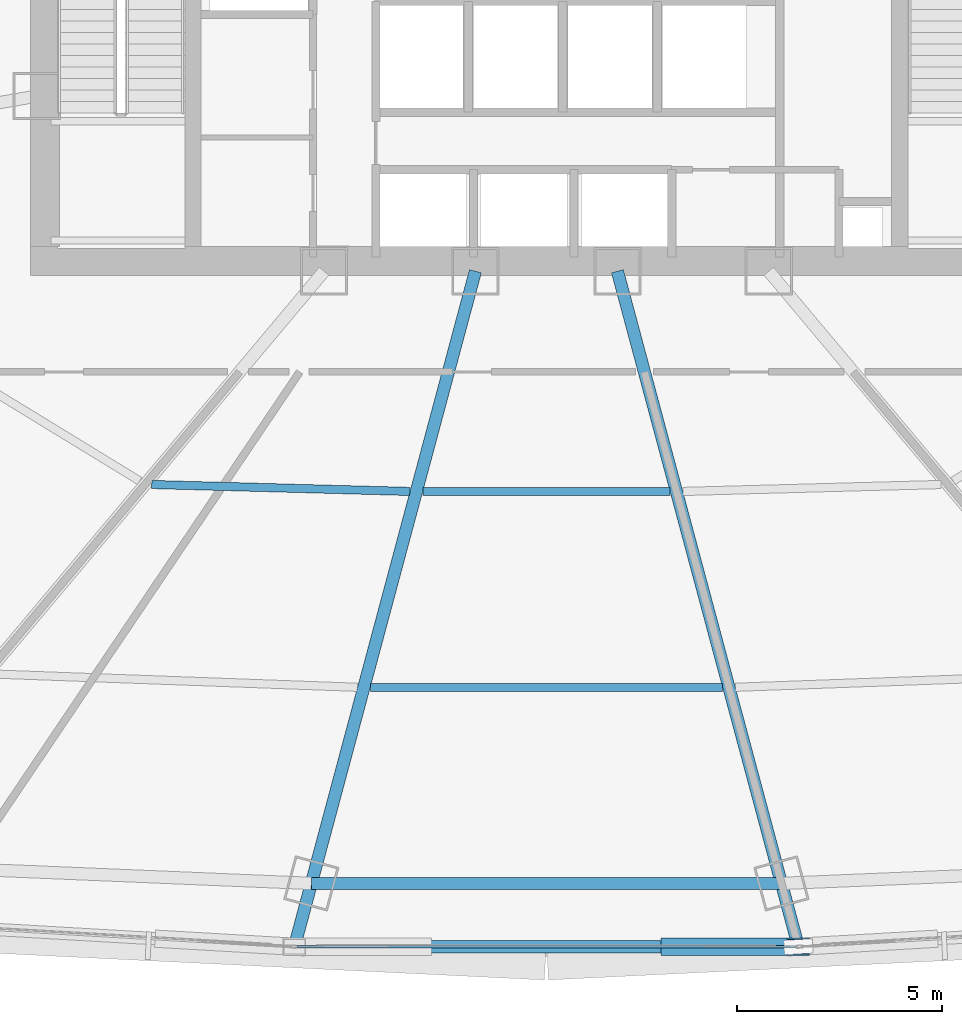
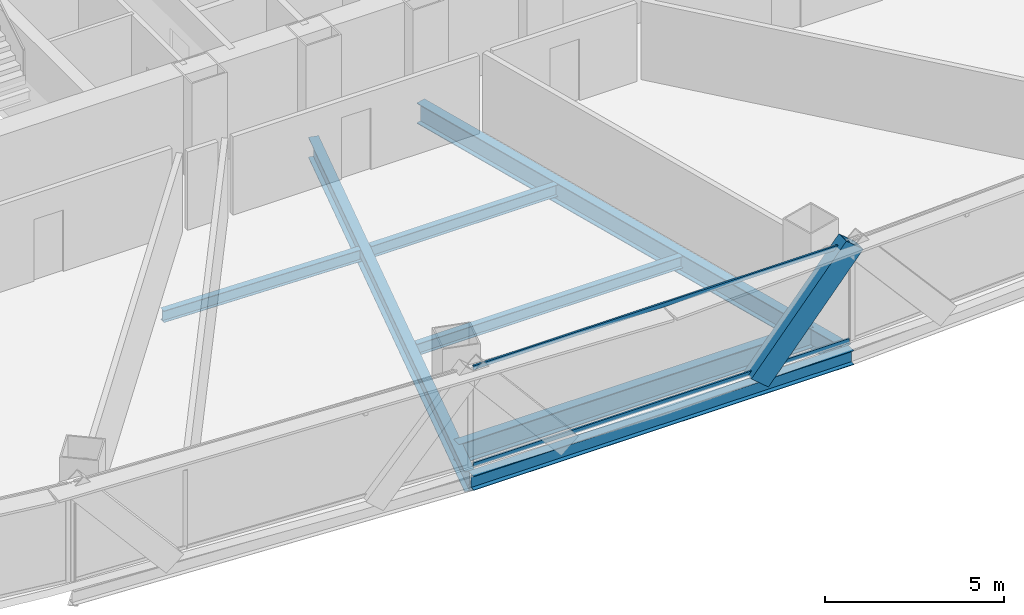
# One storey, part 9 of 42: 7 beams, 3 members, 1 element without a shape of its own.
"""IFC4 building model written with IfcOpenShell, lengths in metres."""

from ifc_helpers import new_model, si_unit, direction, frame, origin, origin_2d, place, context, subcontext, project, spatial, hollow_rectangle, i_section, extrude, source, transform, mapped, material, layer, layer_set, material_profile, profile_set, type_object, element, aggregate, save


model = new_model("IFC4")

# Units and contexts
model_context = context("Model", 3, precision=1e-05, world=origin(), true_north=direction((0.0, 1.0)))
body_context = subcontext(model_context, "Body", "Model", "MODEL_VIEW")
ifc_project = project(units=[si_unit("LENGTHUNIT", "METRE"), si_unit("AREAUNIT", "SQUARE_METRE"), si_unit("VOLUMEUNIT", "CUBIC_METRE"), si_unit("PLANEANGLEUNIT", "RADIAN"), si_unit("MASSUNIT", "GRAM", prefix="KILO"), si_unit("THERMODYNAMICTEMPERATUREUNIT", "KELVIN"), si_unit("POWERUNIT", "WATT")], contexts=[model_context])

# Site, building, storey
site_placement = place(None, origin())
site = spatial("IfcSite", under=ifc_project, at=site_placement, CompositionType="ELEMENT")
building_placement = place(site_placement, origin())
building = spatial("IfcBuilding", under=site, at=building_placement, Name="Yunzhuo Pagoda Commons", CompositionType="ELEMENT")
storey_placement = place(building_placement, frame((0.0, 0.0, 44.919921875)))
storey = spatial("IfcBuildingStorey", under=building, at=storey_placement, Name="L11", CompositionType="ELEMENT", Elevation=44.919921875)

# Beams
ifc_material_1 = material(Name="Structural steel Q355B", Category="steel")
ifc_material_profile_1 = material_profile(ifc_material_1, i_section(OverallWidth=0.300048828125, OverallDepth=0.699951171875, WebThickness=0.012939453125, FlangeThickness=0.02392578125, at=origin_2d()), Name="Structural steel Q355B")
ifc_profile_set_1 = profile_set([ifc_material_profile_1], Name="Structural steel Q355B")
beam_type_1 = type_object("IfcBeamType", Name="B-RG1 Beam HN 700x300x13x24", PredefinedType="BEAM", material=ifc_profile_set_1)
shared_shape_1 = source(origin(), body_context, "Body", "SweptSolid", [
    extrude(i_section(OverallWidth=0.300048828125, OverallDepth=0.699951171875, WebThickness=0.012939453125, FlangeThickness=0.02392578125, at=origin_2d()), origin(), (0.0, 0.0, 1.0), 11.4404296875),
])
beam_1_placement = place(storey_placement, frame((42.27978515625, 12.35205078125, -0.60986328125), z_axis=(1.0, 0.0, 0.0), x_axis=(0.0, 1.0, 0.0)))
element("IfcBeam", 1, at=beam_1_placement, inside=storey, type_object=beam_type_1, Name="L11 column-ring beam 2", PredefinedType="BEAM", context=body_context, shape_type="MappedRepresentation", body=[
    mapped(shared_shape_1, transform((0.0, 0.0, 0.0), scale=1.0)),
])
ifc_material_profile_2 = material_profile(ifc_material_1, i_section(OverallWidth=0.199951171875, OverallDepth=0.39990234375, WebThickness=0.008056640625, FlangeThickness=0.012939453125, at=origin_2d()), Name="Structural steel Q355B")
ifc_profile_set_2 = profile_set([ifc_material_profile_2], Name="Structural steel Q355B")
beam_type_2 = type_object("IfcBeamType", Name="B-JS1 Joist HN 400x200x8x13", PredefinedType="JOIST", material=ifc_profile_set_2)
shared_shape_2 = source(origin(), body_context, "Body", "SweptSolid", [
    extrude(i_section(OverallWidth=0.199951171875, OverallDepth=0.39990234375, WebThickness=0.008056640625, FlangeThickness=0.012939453125, at=origin_2d()), origin(), (0.0, 0.0, 1.0), 6.28271484375),
])
beam_2_placement = place(storey_placement, frame((38.395263671875, 22.06005859375, -0.4599609375), z_axis=(0.999638393847, -0.026890175648, 0.0), x_axis=(0.026890175648, 0.999638393847, 0.0)))
element("IfcBeam", 2, at=beam_2_placement, inside=storey, type_object=beam_type_2, Name="L11 composite ring joist 1.1", PredefinedType="JOIST", context=body_context, shape_type="MappedRepresentation", body=[
    mapped(shared_shape_2, transform((0.0, 0.0, 0.0), scale=1.0)),
])
shared_shape_3 = source(origin(), body_context, "Body", "SweptSolid", [
    extrude(i_section(OverallWidth=0.199951171875, OverallDepth=0.39990234375, WebThickness=0.008056640625, FlangeThickness=0.012939453125, at=origin_2d()), origin(), (0.0, 0.0, 1.0), 6.0126953125),
])
beam_3_placement = place(storey_placement, frame((44.99365234375, 21.88671875, -0.4599609375), z_axis=(1.0, 0.0, 0.0), x_axis=(0.0, 1.0, 0.0)))
element("IfcBeam", 3, at=beam_3_placement, inside=storey, type_object=beam_type_2, Name="L11 composite ring joist 1.2", PredefinedType="JOIST", context=body_context, shape_type="MappedRepresentation", body=[
    mapped(shared_shape_3, transform((0.0, 0.0, 0.0), scale=1.0)),
])
shared_shape_4 = source(origin(), body_context, "Body", "SweptSolid", [
    extrude(i_section(OverallWidth=0.199951171875, OverallDepth=0.39990234375, WebThickness=0.008056640625, FlangeThickness=0.012939453125, at=origin_2d()), origin(), (0.0, 0.0, 1.0), 8.5673828125),
])
beam_4_placement = place(storey_placement, frame((43.71630859375, 17.119384765625, -0.4599609375), z_axis=(1.0, 0.0, 0.0), x_axis=(0.0, 1.0, 0.0)))
element("IfcBeam", 4, at=beam_4_placement, inside=storey, type_object=beam_type_2, Name="L11 composite ring joist 2.2", PredefinedType="JOIST", context=body_context, shape_type="MappedRepresentation", body=[
    mapped(shared_shape_4, transform((0.0, 0.0, 0.0), scale=1.0)),
])
shared_shape_5 = source(origin(), body_context, "Body", "SweptSolid", [
    extrude(i_section(OverallWidth=0.300048828125, OverallDepth=0.699951171875, WebThickness=0.012939453125, FlangeThickness=0.02392578125, at=origin_2d()), origin(), (0.0, 0.0, 1.0), 16.863525390625),
])
for number, where, z_axis, x_axis, name in (
    (5, (41.906982421875, 10.961181640625, -0.60986328125), (0.258841978686, 0.965919680962, 0.0), (-0.965919680962, 0.258841978686, 0.0), "L11 radial floor girder F1C2"),
    (6, (54.093017578125, 10.961181640625, -0.60986328125), (-0.258814963473, 0.965926919949, 0.0), (-0.965926919949, -0.258814963473, 0.0), "L11 radial floor girder F1C3"),
):
    element("IfcBeam", number, at=place(storey_placement, frame(where, z_axis=z_axis, x_axis=x_axis)), inside=storey, type_object=beam_type_1, Name=name, PredefinedType="BEAM", context=body_context, shape_type="MappedRepresentation", body=[
        mapped(shared_shape_5, transform((0.0, 0.0, 0.0), scale=1.0)),
    ])
ifc_material_profile_3 = material_profile(ifc_material_1, i_section(OverallWidth=0.300048828125, OverallDepth=0.488037109375, WebThickness=0.010986328125, FlangeThickness=0.01806640625, at=origin_2d()), Name="Structural steel Q355B")
ifc_profile_set_3 = profile_set([ifc_material_profile_3], Name="Structural steel Q355B")
beam_type_3 = type_object("IfcBeamType", Name="B-SP1 Beam HM 488x300x11x18", PredefinedType="BEAM", material=ifc_profile_set_3)
shared_shape_6 = source(origin(), body_context, "Body", "SweptSolid", [
    extrude(i_section(OverallWidth=0.300048828125, OverallDepth=0.488037109375, WebThickness=0.010986328125, FlangeThickness=0.01806640625, at=origin_2d()), origin(), (0.0, 0.0, 1.0), 12.26611328125),
])
beam_5_placement = place(storey_placement, frame((41.866943359375, 10.811279296875, -0.50390625), z_axis=(1.0, 0.0, 0.0), x_axis=(0.0, 1.0, 0.0)))
element("IfcBeam", 7, at=beam_5_placement, inside=storey, type_object=beam_type_3, Name="L11 facade edge spandrel beam F1.2", PredefinedType="BEAM", context=body_context, shape_type="MappedRepresentation", body=[
    mapped(shared_shape_6, transform((0.0, 0.0, 0.0), scale=1.0)),
])

# Member
ifc_material_2 = material(Name="Structural steel Q420B", Category="steel")
ifc_material_profile_4 = material_profile(ifc_material_2, hollow_rectangle(XDim=0.419921875, YDim=0.719970703125, WallThickness=0.028076171875, at=origin_2d()), Name="Structural steel Q420B")
ifc_profile_set_4 = profile_set([ifc_material_profile_4], Name="Structural steel Q420B")
member_type_1 = type_object("IfcMemberType", Name="M-DL1 Brace BOX 720x420x28", PredefinedType="BRACE", material=ifc_profile_set_4)
shared_shape_7 = source(origin(), body_context, "Body", "SweptSolid", [
    extrude(hollow_rectangle(XDim=0.419921875, YDim=0.719970703125, WallThickness=0.028076171875, at=origin_2d()), origin(), (0.0, 0.0, 1.0), 4.751953125),
])
member_1_placement = place(storey_placement, frame((51.06640625, 10.811279296875, -0.260009765625), z_axis=(0.645329423249, 0.0, 0.763904402061), x_axis=(0.0, 1.0, 0.0)))
element("IfcMember", 8, at=member_1_placement, inside=storey, type_object=member_type_1, Name="L11 facade diamond brace F1.2R", PredefinedType="BRACE", context=body_context, shape_type="MappedRepresentation", body=[
    mapped(shared_shape_7, transform((0.0, 0.0, 0.0), scale=1.0)),
])

# Curtain wall, members
ifc_material_3 = material(Name="Anodized aluminium 6063-T6", Category="aluminium")
ifc_layer = layer(ifc_material_3, 0.1650390625)
ifc_layer_set = layer_set([ifc_layer], Name="Anodized aluminium 6063-T6")
curtain_wall_type = type_object("IfcCurtainWallType", Name="CW-LOW Low-Zone Ribbon Curtain Wall", PredefinedType="NOTDEFINED", material=ifc_layer_set)
curtain_wall_placement = place(storey_placement, origin())
curtain_wall = element("IfcCurtainWall", 9, at=curtain_wall_placement, inside=storey, type_object=curtain_wall_type, Name="L11 curtain wall CW-L11-F1B3", PredefinedType="NOTDEFINED")
ifc_material_profile_5 = material_profile(ifc_material_3, hollow_rectangle(XDim=0.06005859375, YDim=0.139892578125, WallThickness=0.00341796875, at=origin_2d()), Name="Anodized aluminium 6063-T6")
ifc_profile_set_5 = profile_set([ifc_material_profile_5], Name="Anodized aluminium 6063-T6")
member_type_2 = type_object("IfcMemberType", Name="CW-LOW-T Transom RHS 140x60x3.5", PredefinedType="USERDEFINED", material=ifc_profile_set_5)
shared_shape_8 = source(origin(), body_context, "Body", "SweptSolid", [
    extrude(hollow_rectangle(XDim=0.06005859375, YDim=0.139892578125, WallThickness=0.00341796875, at=origin_2d()), origin(), (0.0, 0.0, 1.0), 12.13623046875),
])
member_2_placement = place(storey_placement, frame((41.931884765625, 10.811279296875, 0.030029296875), z_axis=(1.0, 0.0, 0.0), x_axis=(0.0, 1.0, 0.0)))
member_2 = element("IfcMember", 10, at=member_2_placement, type_object=member_type_2, Name="CW transom 1.1", ObjectType="TRANSOM", PredefinedType="USERDEFINED", context=body_context, shape_type="MappedRepresentation", body=[
    mapped(shared_shape_8, transform((0.0, 0.0, 0.0), scale=1.0)),
])
member_3_placement = place(storey_placement, frame((41.931884765625, 10.811279296875, 3.340087890625), z_axis=(1.0, 0.0, 0.0), x_axis=(0.0, 1.0, 0.0)))
member_3 = element("IfcMember", 11, at=member_3_placement, type_object=member_type_2, Name="CW transom 1.2", ObjectType="TRANSOM", PredefinedType="USERDEFINED", context=body_context, shape_type="MappedRepresentation", body=[
    mapped(shared_shape_8, transform((0.0, 0.0, 0.0), scale=1.0)),
])
aggregate(curtain_wall, [member_2, member_3])

save(model, "model.ifc")
